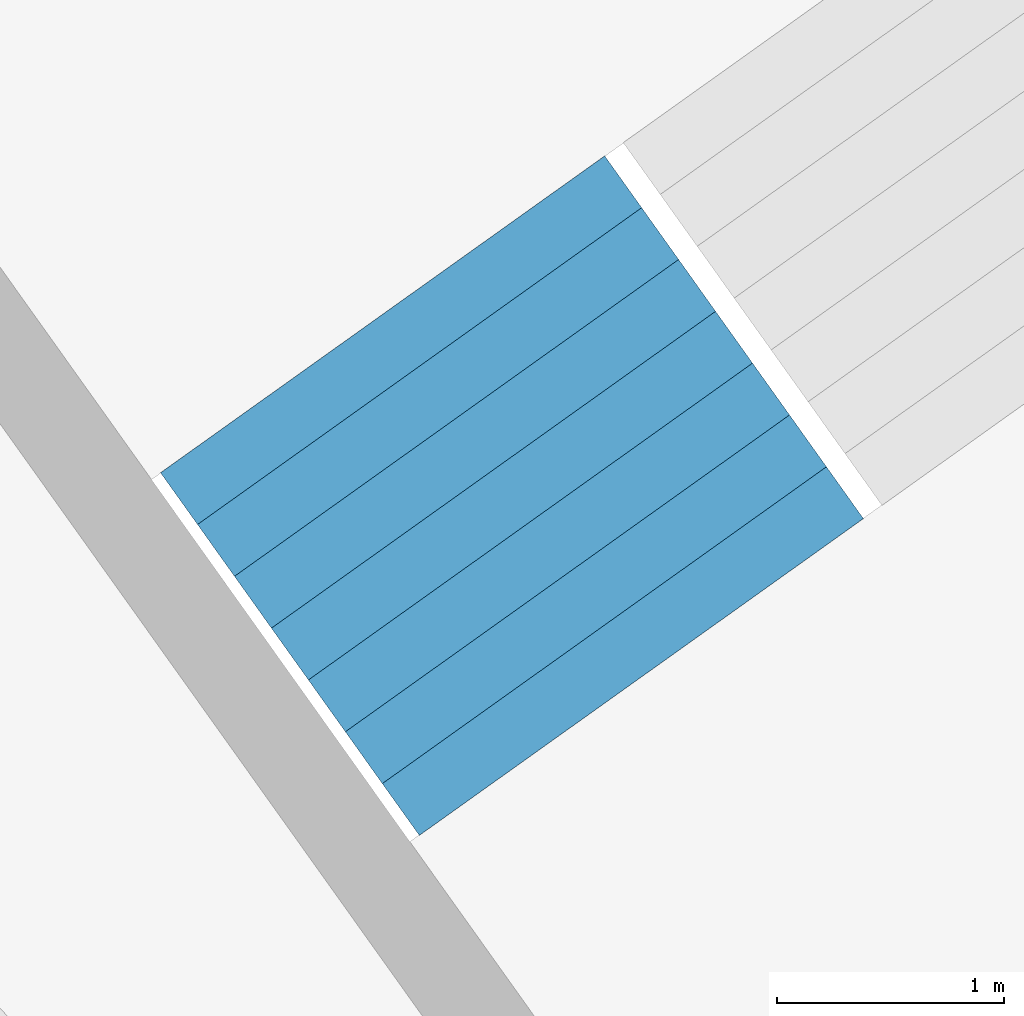
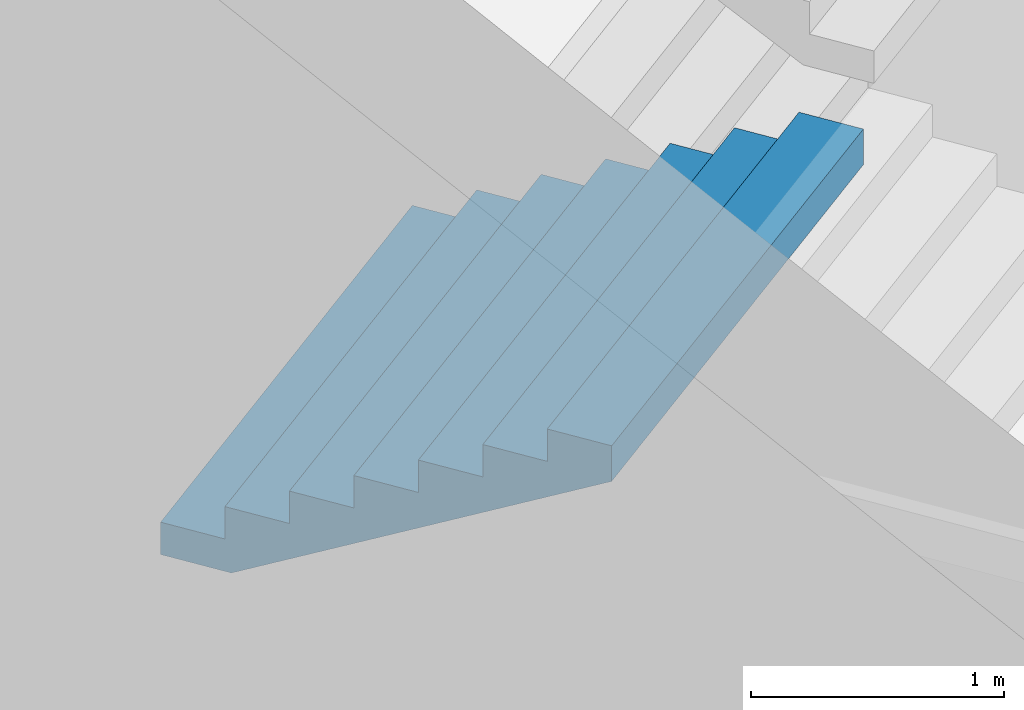
# One storey, part 41 of 73: 1 stair flight, 1 element without a shape of its own.
"""IFC4 building model written with IfcOpenShell, lengths in metres."""

from ifc_helpers import new_model, si_unit, direction, frame, origin, place, context, subcontext, project, spatial, triangles, material, type_object, element, aggregate, save


model = new_model("IFC4")

# Units and contexts
model_context = context("Model", 3, precision=1e-05, world=origin(), true_north=direction((0.0, 1.0)))
body_context = subcontext(model_context, "Body", "Model", "MODEL_VIEW")
ifc_project = project(units=[si_unit("LENGTHUNIT", "METRE"), si_unit("AREAUNIT", "SQUARE_METRE"), si_unit("VOLUMEUNIT", "CUBIC_METRE"), si_unit("PLANEANGLEUNIT", "RADIAN"), si_unit("MASSUNIT", "GRAM", prefix="KILO")], contexts=[model_context])

# Site, building, storey
site_placement = place(None, origin())
site = spatial("IfcSite", under=ifc_project, at=site_placement, CompositionType="ELEMENT")
building_placement = place(site_placement, origin())
building = spatial("IfcBuilding", under=site, at=building_placement, Name="Lantaw Convention Tower", CompositionType="ELEMENT")
storey_placement = place(building_placement, frame((0.0, 0.0, 22.0)))
storey = spatial("IfcBuildingStorey", under=building, at=storey_placement, Name="L03", CompositionType="ELEMENT", Elevation=22.0)

# Stair, stair flight
ifc_material = material(Name="Concrete C35/45", Category="concrete")
stair_type = type_object("IfcStairType", Name="Exit stair 2400 riser 156.25 in 4 flights", PredefinedType="HALF_TURN_STAIR", material=ifc_material)
stair_placement = place(storey_placement, origin())
stair = element("IfcStair", 1, at=stair_placement, inside=storey, type_object=stair_type, Name="Podium exit stair P6 L03", PredefinedType="HALF_TURN_STAIR")
stair_flight_type = type_object("IfcStairFlightType", Name="Stair flight 2400 riser 156.25", PredefinedType="STRAIGHT", material=ifc_material)
stair_flight_placement = place(storey_placement, frame((-20.143798828125, 26.087890625, 1.25), z_axis=(0.0, 0.0, 1.0), x_axis=(0.580702955711, -0.814115518356, 0.0)))
stair_flight = element("IfcStairFlight", 2, at=stair_flight_placement, type_object=stair_flight_type, Name="P6 flight 2", NumberOfRisers=8, NumberOfTreads=7, PredefinedType="STRAIGHT", RiserHeight=0.15625, TreadLength=0.28, context=body_context, shape_type="Tessellation", body=[
    triangles([(0.0, 1.199951171875, 0.0), (0.0, 1.199951171875, 0.15625), (0.28, 1.199951171875, 0.0), (0.28, 1.199951171875, 0.15625), (0.28, 1.199951171875, 0.3125), (0.3076200632058044, 1.199951171875, 0.0), (0.3076200632058044, 1.199951171875, 0.3125), (0.56, 1.199951171875, 0.14083701830033238), (0.56, 1.199951171875, 0.3125), (0.56, 1.199951171875, 0.46875), (0.8400000000000001, 1.199951171875, 0.29708701830033235), (0.8400000000000001, 1.199951171875, 0.46875), (0.8400000000000001, 1.199951171875, 0.625), (1.12, 1.199951171875, 0.45333701830033235), (1.12, 1.199951171875, 0.625), (1.12, 1.199951171875, 0.78125), (1.4000000000000001, 1.199951171875, 0.6095870183003324), (1.4000000000000001, 1.199951171875, 0.78125), (1.4000000000000001, 1.199951171875, 0.9375), (1.6800000000000002, 1.199951171875, 0.7658370183003324), (1.6800000000000002, 1.199951171875, 0.9375), (1.6800000000000002, 1.199951171875, 1.09375), (1.9600000000000002, 1.199951171875, 0.9220870183003324), (1.9600000000000002, 1.199951171875, 1.09375), (0.0, -1.199951171875, 0.0), (0.0, -1.199951171875, 0.15625), (0.28, -1.199951171875, 0.0), (0.28, -1.199951171875, 0.15625), (0.28, -1.199951171875, 0.3125), (0.3076200632058044, -1.199951171875, 0.0), (0.3076200632058044, -1.199951171875, 0.3125), (0.56, -1.199951171875, 0.14083701830033238), (0.56, -1.199951171875, 0.3125), (0.56, -1.199951171875, 0.46875), (0.8400000000000001, -1.199951171875, 0.29708701830033235), (0.8400000000000001, -1.199951171875, 0.46875), (0.8400000000000001, -1.199951171875, 0.625), (1.12, -1.199951171875, 0.45333701830033235), (1.12, -1.199951171875, 0.625), (1.12, -1.199951171875, 0.78125), (1.4000000000000001, -1.199951171875, 0.6095870183003324), (1.4000000000000001, -1.199951171875, 0.78125), (1.4000000000000001, -1.199951171875, 0.9375), (1.6800000000000002, -1.199951171875, 0.7658370183003324), (1.6800000000000002, -1.199951171875, 0.9375), (1.6800000000000002, -1.199951171875, 1.09375), (1.9600000000000002, -1.199951171875, 0.9220870183003324), (1.9600000000000002, -1.199951171875, 1.09375), (0.0, 0.239990234375, 0.15625), (0.0, 0.239990234375, 0.0), (0.0, 0.1919921875, 0.15625), (0.0, 0.1919921875, 0.0), (0.0, 0.143994140625, 0.15625), (0.0, 0.143994140625, 0.0), (0.0, 0.09599609375, 0.15625), (0.0, 0.09599609375, 0.0), (0.0, 0.047998046875, 0.15625), (0.0, 0.047998046875, 0.0), (0.0, 0.0, 0.15625), (0.0, 0.0, 0.0), (0.0, -0.047998046875, 0.15625), (0.0, -0.047998046875, 0.0), (0.0, -0.09599609375, 0.15625), (0.0, -0.09599609375, 0.0), (0.0, -0.143994140625, 0.15625), (0.0, -0.143994140625, 0.0), (0.0, -0.1919921875, 0.15625), (0.0, -0.1919921875, 0.0), (0.0, -0.239990234375, 0.15625), (0.0, -0.239990234375, 0.0), (0.28, 0.239990234375, 0.3125), (0.28, 0.239990234375, 0.15625), (0.28, 0.1919921875, 0.3125), (0.28, 0.1919921875, 0.15625), (0.28, 0.143994140625, 0.3125), (0.28, 0.143994140625, 0.15625), (0.28, 0.09599609375, 0.3125), (0.28, 0.09599609375, 0.15625), (0.28, 0.047998046875, 0.3125), (0.28, 0.047998046875, 0.15625), (0.28, 0.0, 0.3125), (0.28, 0.0, 0.15625), (0.28, -0.047998046875, 0.3125), (0.28, -0.047998046875, 0.15625), (0.28, -0.09599609375, 0.3125), (0.28, -0.09599609375, 0.15625), (0.28, -0.143994140625, 0.3125), (0.28, -0.143994140625, 0.15625), (0.28, -0.1919921875, 0.3125), (0.28, -0.1919921875, 0.15625), (0.28, -0.239990234375, 0.3125), (0.28, -0.239990234375, 0.15625), (0.56, 0.239990234375, 0.46875), (0.56, 0.239990234375, 0.3125), (0.56, 0.1919921875, 0.46875), (0.56, 0.1919921875, 0.3125), (0.56, 0.143994140625, 0.46875), (0.56, 0.143994140625, 0.3125), (0.56, 0.09599609375, 0.46875), (0.56, 0.09599609375, 0.3125), (0.56, 0.047998046875, 0.46875), (0.56, 0.047998046875, 0.3125), (0.56, 0.0, 0.46875), (0.56, 0.0, 0.3125), (0.56, -0.047998046875, 0.46875), (0.56, -0.047998046875, 0.3125), (0.56, -0.09599609375, 0.46875), (0.56, -0.09599609375, 0.3125), (0.56, -0.143994140625, 0.46875), (0.56, -0.143994140625, 0.3125), (0.56, -0.1919921875, 0.46875), (0.56, -0.1919921875, 0.3125), (0.56, -0.239990234375, 0.46875), (0.56, -0.239990234375, 0.3125), (0.8400000000000001, 0.239990234375, 0.625), (0.8400000000000001, 0.239990234375, 0.46875), (0.8400000000000001, 0.1919921875, 0.625), (0.8400000000000001, 0.1919921875, 0.46875), (0.8400000000000001, 0.143994140625, 0.625), (0.8400000000000001, 0.143994140625, 0.46875), (0.8400000000000001, 0.09599609375, 0.625), (0.8400000000000001, 0.09599609375, 0.46875), (0.8400000000000001, 0.047998046875, 0.625), (0.8400000000000001, 0.047998046875, 0.46875), (0.8400000000000001, 0.0, 0.625), (0.8400000000000001, 0.0, 0.46875), (0.8400000000000001, -0.047998046875, 0.625), (0.8400000000000001, -0.047998046875, 0.46875), (0.8400000000000001, -0.09599609375, 0.625), (0.8400000000000001, -0.09599609375, 0.46875), (0.8400000000000001, -0.143994140625, 0.625), (0.8400000000000001, -0.143994140625, 0.46875), (0.8400000000000001, -0.1919921875, 0.625), (0.8400000000000001, -0.1919921875, 0.46875), (0.8400000000000001, -0.239990234375, 0.625), (0.8400000000000001, -0.239990234375, 0.46875), (1.12, 0.239990234375, 0.78125), (1.12, 0.239990234375, 0.625), (1.12, 0.1919921875, 0.78125), (1.12, 0.1919921875, 0.625), (1.12, 0.143994140625, 0.78125), (1.12, 0.143994140625, 0.625), (1.12, 0.09599609375, 0.78125), (1.12, 0.09599609375, 0.625), (1.12, 0.047998046875, 0.78125), (1.12, 0.047998046875, 0.625), (1.12, 0.0, 0.78125), (1.12, 0.0, 0.625), (1.12, -0.047998046875, 0.78125), (1.12, -0.047998046875, 0.625), (1.12, -0.09599609375, 0.78125), (1.12, -0.09599609375, 0.625), (1.12, -0.143994140625, 0.78125), (1.12, -0.143994140625, 0.625), (1.12, -0.1919921875, 0.78125), (1.12, -0.1919921875, 0.625), (1.12, -0.239990234375, 0.78125), (1.12, -0.239990234375, 0.625), (1.4000000000000001, 0.239990234375, 0.9375), (1.4000000000000001, 0.239990234375, 0.78125), (1.4000000000000001, 0.1919921875, 0.9375), (1.4000000000000001, 0.1919921875, 0.78125), (1.4000000000000001, 0.143994140625, 0.9375), (1.4000000000000001, 0.143994140625, 0.78125), (1.4000000000000001, 0.09599609375, 0.9375), (1.4000000000000001, 0.09599609375, 0.78125), (1.4000000000000001, 0.047998046875, 0.9375), (1.4000000000000001, 0.047998046875, 0.78125), (1.4000000000000001, 0.0, 0.9375), (1.4000000000000001, 0.0, 0.78125), (1.4000000000000001, -0.047998046875, 0.9375), (1.4000000000000001, -0.047998046875, 0.78125), (1.4000000000000001, -0.09599609375, 0.9375), (1.4000000000000001, -0.09599609375, 0.78125), (1.4000000000000001, -0.143994140625, 0.9375), (1.4000000000000001, -0.143994140625, 0.78125), (1.4000000000000001, -0.1919921875, 0.9375), (1.4000000000000001, -0.1919921875, 0.78125), (1.4000000000000001, -0.239990234375, 0.9375), (1.4000000000000001, -0.239990234375, 0.78125), (1.6800000000000002, 0.239990234375, 1.09375), (1.6800000000000002, 0.239990234375, 0.9375), (1.6800000000000002, 0.1919921875, 1.09375), (1.6800000000000002, 0.1919921875, 0.9375), (1.6800000000000002, 0.143994140625, 1.09375), (1.6800000000000002, 0.143994140625, 0.9375), (1.6800000000000002, 0.09599609375, 1.09375), (1.6800000000000002, 0.09599609375, 0.9375), (1.6800000000000002, 0.047998046875, 1.09375), (1.6800000000000002, 0.047998046875, 0.9375), (1.6800000000000002, 0.0, 1.09375), (1.6800000000000002, 0.0, 0.9375), (1.6800000000000002, -0.047998046875, 1.09375), (1.6800000000000002, -0.047998046875, 0.9375), (1.6800000000000002, -0.09599609375, 1.09375), (1.6800000000000002, -0.09599609375, 0.9375), (1.6800000000000002, -0.143994140625, 1.09375), (1.6800000000000002, -0.143994140625, 0.9375), (1.6800000000000002, -0.1919921875, 1.09375), (1.6800000000000002, -0.1919921875, 0.9375), (1.6800000000000002, -0.239990234375, 1.09375), (1.6800000000000002, -0.239990234375, 0.9375), (0.3076200632058044, 0.239990234375, 0.3125), (0.3076200632058044, 0.1919921875, 0.3125), (0.3076200632058044, 0.143994140625, 0.3125), (0.3076200632058044, 0.09599609375, 0.3125), (0.3076200632058044, 0.047998046875, 0.3125), (0.3076200632058044, 0.0, 0.3125), (0.3076200632058044, -0.047998046875, 0.3125), (0.3076200632058044, -0.09599609375, 0.3125), (0.3076200632058044, -0.143994140625, 0.3125), (0.3076200632058044, -0.1919921875, 0.3125), (0.3076200632058044, -0.239990234375, 0.3125), (1.9600000000000002, 0.239990234375, 1.09375), (1.9600000000000002, 0.1919921875, 1.09375), (1.9600000000000002, 0.143994140625, 1.09375), (1.9600000000000002, 0.09599609375, 1.09375), (1.9600000000000002, 0.047998046875, 1.09375), (1.9600000000000002, 0.0, 1.09375), (1.9600000000000002, -0.047998046875, 1.09375), (1.9600000000000002, -0.09599609375, 1.09375), (1.9600000000000002, -0.143994140625, 1.09375), (1.9600000000000002, -0.1919921875, 1.09375), (1.9600000000000002, -0.239990234375, 1.09375), (1.9600000000000002, 0.239990234375, 0.9220870183003324), (1.9600000000000002, 0.1919921875, 0.9220870183003324), (1.9600000000000002, 0.143994140625, 0.9220870183003324), (1.9600000000000002, 0.09599609375, 0.9220870183003324), (1.9600000000000002, 0.047998046875, 0.9220870183003324), (1.9600000000000002, 0.0, 0.9220870183003324), (1.9600000000000002, -0.047998046875, 0.9220870183003324), (1.9600000000000002, -0.09599609375, 0.9220870183003324), (1.9600000000000002, -0.143994140625, 0.9220870183003324), (1.9600000000000002, -0.1919921875, 0.9220870183003324), (1.9600000000000002, -0.239990234375, 0.9220870183003324), (1.6800000000000002, 0.239990234375, 0.7658370183003324), (1.6800000000000002, 0.1919921875, 0.7658370183003324), (1.6800000000000002, 0.143994140625, 0.7658370183003324), (1.6800000000000002, 0.09599609375, 0.7658370183003324), (1.6800000000000002, 0.047998046875, 0.7658370183003324), (1.6800000000000002, 0.0, 0.7658370183003324), (1.6800000000000002, -0.047998046875, 0.7658370183003324), (1.6800000000000002, -0.09599609375, 0.7658370183003324), (1.6800000000000002, -0.143994140625, 0.7658370183003324), (1.6800000000000002, -0.1919921875, 0.7658370183003324), (1.6800000000000002, -0.239990234375, 0.7658370183003324), (1.4000000000000001, 0.239990234375, 0.6095870183003324), (1.4000000000000001, 0.1919921875, 0.6095870183003324), (1.4000000000000001, 0.143994140625, 0.6095870183003324), (1.4000000000000001, 0.09599609375, 0.6095870183003324), (1.4000000000000001, 0.047998046875, 0.6095870183003324), (1.4000000000000001, 0.0, 0.6095870183003324), (1.4000000000000001, -0.047998046875, 0.6095870183003324), (1.4000000000000001, -0.09599609375, 0.6095870183003324), (1.4000000000000001, -0.143994140625, 0.6095870183003324), (1.4000000000000001, -0.1919921875, 0.6095870183003324), (1.4000000000000001, -0.239990234375, 0.6095870183003324), (1.12, 0.239990234375, 0.45333701830033235), (1.12, 0.1919921875, 0.45333701830033235), (1.12, 0.143994140625, 0.45333701830033235), (1.12, 0.09599609375, 0.45333701830033235), (1.12, 0.047998046875, 0.45333701830033235), (1.12, 0.0, 0.45333701830033235), (1.12, -0.047998046875, 0.45333701830033235), (1.12, -0.09599609375, 0.45333701830033235), (1.12, -0.143994140625, 0.45333701830033235), (1.12, -0.1919921875, 0.45333701830033235), (1.12, -0.239990234375, 0.45333701830033235), (0.8400000000000001, 0.239990234375, 0.29708701830033235), (0.8400000000000001, 0.1919921875, 0.29708701830033235), (0.8400000000000001, 0.143994140625, 0.29708701830033235), (0.8400000000000001, 0.09599609375, 0.29708701830033235), (0.8400000000000001, 0.047998046875, 0.29708701830033235), (0.8400000000000001, 0.0, 0.29708701830033235), (0.8400000000000001, -0.047998046875, 0.29708701830033235), (0.8400000000000001, -0.09599609375, 0.29708701830033235), (0.8400000000000001, -0.143994140625, 0.29708701830033235), (0.8400000000000001, -0.1919921875, 0.29708701830033235), (0.8400000000000001, -0.239990234375, 0.29708701830033235), (0.56, 0.239990234375, 0.14083701830033238), (0.56, 0.1919921875, 0.14083701830033238), (0.56, 0.143994140625, 0.14083701830033238), (0.56, 0.09599609375, 0.14083701830033238), (0.56, 0.047998046875, 0.14083701830033238), (0.56, 0.0, 0.14083701830033238), (0.56, -0.047998046875, 0.14083701830033238), (0.56, -0.09599609375, 0.14083701830033238), (0.56, -0.143994140625, 0.14083701830033238), (0.56, -0.1919921875, 0.14083701830033238), (0.56, -0.239990234375, 0.14083701830033238), (0.3076200632058044, 0.239990234375, 0.0), (0.3076200632058044, 0.1919921875, 0.0), (0.3076200632058044, 0.143994140625, 0.0), (0.3076200632058044, 0.09599609375, 0.0), (0.3076200632058044, 0.047998046875, 0.0), (0.3076200632058044, 0.0, 0.0), (0.3076200632058044, -0.047998046875, 0.0), (0.3076200632058044, -0.09599609375, 0.0), (0.3076200632058044, -0.143994140625, 0.0), (0.3076200632058044, -0.1919921875, 0.0), (0.3076200632058044, -0.239990234375, 0.0), (0.28, 0.239990234375, 0.0), (0.28, 0.1919921875, 0.0), (0.28, 0.143994140625, 0.0), (0.28, 0.09599609375, 0.0), (0.28, 0.047998046875, 0.0), (0.28, 0.0, 0.0), (0.28, -0.047998046875, 0.0), (0.28, -0.09599609375, 0.0), (0.28, -0.143994140625, 0.0), (0.28, -0.1919921875, 0.0), (0.28, -0.239990234375, 0.0)], [[1, 4, 3], [1, 2, 4], [3, 4, 6], [4, 7, 6], [4, 5, 7], [6, 9, 8], [6, 7, 9], [8, 9, 11], [9, 12, 11], [9, 10, 12], [11, 12, 14], [12, 15, 14], [12, 13, 15], [14, 15, 17], [15, 18, 17], [15, 16, 18], [17, 18, 20], [18, 21, 20], [18, 19, 21], [20, 21, 23], [21, 24, 23], [21, 22, 24], [25, 27, 28], [25, 28, 26], [27, 30, 28], [28, 30, 31], [28, 31, 29], [30, 32, 33], [30, 33, 31], [32, 35, 33], [33, 35, 36], [33, 36, 34], [35, 38, 36], [36, 38, 39], [36, 39, 37], [38, 41, 39], [39, 41, 42], [39, 42, 40], [41, 44, 42], [42, 44, 45], [42, 45, 43], [44, 47, 45], [45, 47, 48], [45, 48, 46], [1, 49, 2], [1, 50, 49], [50, 51, 49], [50, 52, 51], [52, 53, 51], [52, 54, 53], [54, 55, 53], [54, 56, 55], [56, 57, 55], [56, 58, 57], [58, 59, 57], [58, 60, 59], [60, 61, 59], [60, 62, 61], [62, 63, 61], [62, 64, 63], [64, 65, 63], [64, 66, 65], [66, 67, 65], [66, 68, 67], [68, 69, 67], [68, 70, 69], [70, 26, 69], [70, 25, 26], [4, 71, 5], [4, 72, 71], [72, 73, 71], [72, 74, 73], [74, 75, 73], [74, 76, 75], [76, 77, 75], [76, 78, 77], [78, 79, 77], [78, 80, 79], [80, 81, 79], [80, 82, 81], [82, 83, 81], [82, 84, 83], [84, 85, 83], [84, 86, 85], [86, 87, 85], [86, 88, 87], [88, 89, 87], [88, 90, 89], [90, 91, 89], [90, 92, 91], [92, 29, 91], [92, 28, 29], [9, 93, 10], [9, 94, 93], [94, 95, 93], [94, 96, 95], [96, 97, 95], [96, 98, 97], [98, 99, 97], [98, 100, 99], [100, 101, 99], [100, 102, 101], [102, 103, 101], [102, 104, 103], [104, 105, 103], [104, 106, 105], [106, 107, 105], [106, 108, 107], [108, 109, 107], [108, 110, 109], [110, 111, 109], [110, 112, 111], [112, 113, 111], [112, 114, 113], [114, 34, 113], [114, 33, 34], [12, 115, 13], [12, 116, 115], [116, 117, 115], [116, 118, 117], [118, 119, 117], [118, 120, 119], [120, 121, 119], [120, 122, 121], [122, 123, 121], [122, 124, 123], [124, 125, 123], [124, 126, 125], [126, 127, 125], [126, 128, 127], [128, 129, 127], [128, 130, 129], [130, 131, 129], [130, 132, 131], [132, 133, 131], [132, 134, 133], [134, 135, 133], [134, 136, 135], [136, 37, 135], [136, 36, 37], [15, 137, 16], [15, 138, 137], [138, 139, 137], [138, 140, 139], [140, 141, 139], [140, 142, 141], [142, 143, 141], [142, 144, 143], [144, 145, 143], [144, 146, 145], [146, 147, 145], [146, 148, 147], [148, 149, 147], [148, 150, 149], [150, 151, 149], [150, 152, 151], [152, 153, 151], [152, 154, 153], [154, 155, 153], [154, 156, 155], [156, 157, 155], [156, 158, 157], [158, 40, 157], [158, 39, 40], [18, 159, 19], [18, 160, 159], [160, 161, 159], [160, 162, 161], [162, 163, 161], [162, 164, 163], [164, 165, 163], [164, 166, 165], [166, 167, 165], [166, 168, 167], [168, 169, 167], [168, 170, 169], [170, 171, 169], [170, 172, 171], [172, 173, 171], [172, 174, 173], [174, 175, 173], [174, 176, 175], [176, 177, 175], [176, 178, 177], [178, 179, 177], [178, 180, 179], [180, 43, 179], [180, 42, 43], [21, 181, 22], [21, 182, 181], [182, 183, 181], [182, 184, 183], [184, 185, 183], [184, 186, 185], [186, 187, 185], [186, 188, 187], [188, 189, 187], [188, 190, 189], [190, 191, 189], [190, 192, 191], [192, 193, 191], [192, 194, 193], [194, 195, 193], [194, 196, 195], [196, 197, 195], [196, 198, 197], [198, 199, 197], [198, 200, 199], [200, 201, 199], [200, 202, 201], [202, 46, 201], [202, 45, 46], [2, 72, 4], [2, 49, 72], [49, 74, 72], [49, 51, 74], [51, 76, 74], [51, 53, 76], [53, 78, 76], [53, 55, 78], [55, 80, 78], [55, 57, 80], [57, 82, 80], [57, 59, 82], [59, 84, 82], [59, 61, 84], [61, 86, 84], [61, 63, 86], [63, 88, 86], [63, 65, 88], [65, 90, 88], [65, 67, 90], [67, 92, 90], [67, 69, 92], [69, 28, 92], [69, 26, 28], [5, 203, 7], [5, 71, 203], [71, 204, 203], [71, 73, 204], [73, 205, 204], [73, 75, 205], [75, 206, 205], [75, 77, 206], [77, 207, 206], [77, 79, 207], [79, 208, 207], [79, 81, 208], [81, 209, 208], [81, 83, 209], [83, 210, 209], [83, 85, 210], [85, 211, 210], [85, 87, 211], [87, 212, 211], [87, 89, 212], [89, 213, 212], [89, 91, 213], [91, 31, 213], [91, 29, 31], [7, 94, 9], [7, 203, 94], [203, 96, 94], [203, 204, 96], [204, 98, 96], [204, 205, 98], [205, 100, 98], [205, 206, 100], [206, 102, 100], [206, 207, 102], [207, 104, 102], [207, 208, 104], [208, 106, 104], [208, 209, 106], [209, 108, 106], [209, 210, 108], [210, 110, 108], [210, 211, 110], [211, 112, 110], [211, 212, 112], [212, 114, 112], [212, 213, 114], [213, 33, 114], [213, 31, 33], [10, 116, 12], [10, 93, 116], [93, 118, 116], [93, 95, 118], [95, 120, 118], [95, 97, 120], [97, 122, 120], [97, 99, 122], [99, 124, 122], [99, 101, 124], [101, 126, 124], [101, 103, 126], [103, 128, 126], [103, 105, 128], [105, 130, 128], [105, 107, 130], [107, 132, 130], [107, 109, 132], [109, 134, 132], [109, 111, 134], [111, 136, 134], [111, 113, 136], [113, 36, 136], [113, 34, 36], [13, 138, 15], [13, 115, 138], [115, 140, 138], [115, 117, 140], [117, 142, 140], [117, 119, 142], [119, 144, 142], [119, 121, 144], [121, 146, 144], [121, 123, 146], [123, 148, 146], [123, 125, 148], [125, 150, 148], [125, 127, 150], [127, 152, 150], [127, 129, 152], [129, 154, 152], [129, 131, 154], [131, 156, 154], [131, 133, 156], [133, 158, 156], [133, 135, 158], [135, 39, 158], [135, 37, 39], [16, 160, 18], [16, 137, 160], [137, 162, 160], [137, 139, 162], [139, 164, 162], [139, 141, 164], [141, 166, 164], [141, 143, 166], [143, 168, 166], [143, 145, 168], [145, 170, 168], [145, 147, 170], [147, 172, 170], [147, 149, 172], [149, 174, 172], [149, 151, 174], [151, 176, 174], [151, 153, 176], [153, 178, 176], [153, 155, 178], [155, 180, 178], [155, 157, 180], [157, 42, 180], [157, 40, 42], [19, 182, 21], [19, 159, 182], [159, 184, 182], [159, 161, 184], [161, 186, 184], [161, 163, 186], [163, 188, 186], [163, 165, 188], [165, 190, 188], [165, 167, 190], [167, 192, 190], [167, 169, 192], [169, 194, 192], [169, 171, 194], [171, 196, 194], [171, 173, 196], [173, 198, 196], [173, 175, 198], [175, 200, 198], [175, 177, 200], [177, 202, 200], [177, 179, 202], [179, 45, 202], [179, 43, 45], [22, 214, 24], [22, 181, 214], [181, 215, 214], [181, 183, 215], [183, 216, 215], [183, 185, 216], [185, 217, 216], [185, 187, 217], [187, 218, 217], [187, 189, 218], [189, 219, 218], [189, 191, 219], [191, 220, 219], [191, 193, 220], [193, 221, 220], [193, 195, 221], [195, 222, 221], [195, 197, 222], [197, 223, 222], [197, 199, 223], [199, 224, 223], [199, 201, 224], [201, 48, 224], [201, 46, 48], [24, 225, 23], [24, 214, 225], [214, 226, 225], [214, 215, 226], [215, 227, 226], [215, 216, 227], [216, 228, 227], [216, 217, 228], [217, 229, 228], [217, 218, 229], [218, 230, 229], [218, 219, 230], [219, 231, 230], [219, 220, 231], [220, 232, 231], [220, 221, 232], [221, 233, 232], [221, 222, 233], [222, 234, 233], [222, 223, 234], [223, 235, 234], [223, 224, 235], [224, 47, 235], [224, 48, 47], [23, 236, 20], [23, 225, 236], [225, 237, 236], [225, 226, 237], [226, 238, 237], [226, 227, 238], [227, 239, 238], [227, 228, 239], [228, 240, 239], [228, 229, 240], [229, 241, 240], [229, 230, 241], [230, 242, 241], [230, 231, 242], [231, 243, 242], [231, 232, 243], [232, 244, 243], [232, 233, 244], [233, 245, 244], [233, 234, 245], [234, 246, 245], [234, 235, 246], [235, 44, 246], [235, 47, 44], [20, 247, 17], [20, 236, 247], [236, 248, 247], [236, 237, 248], [237, 249, 248], [237, 238, 249], [238, 250, 249], [238, 239, 250], [239, 251, 250], [239, 240, 251], [240, 252, 251], [240, 241, 252], [241, 253, 252], [241, 242, 253], [242, 254, 253], [242, 243, 254], [243, 255, 254], [243, 244, 255], [244, 256, 255], [244, 245, 256], [245, 257, 256], [245, 246, 257], [246, 41, 257], [246, 44, 41], [17, 258, 14], [17, 247, 258], [247, 259, 258], [247, 248, 259], [248, 260, 259], [248, 249, 260], [249, 261, 260], [249, 250, 261], [250, 262, 261], [250, 251, 262], [251, 263, 262], [251, 252, 263], [252, 264, 263], [252, 253, 264], [253, 265, 264], [253, 254, 265], [254, 266, 265], [254, 255, 266], [255, 267, 266], [255, 256, 267], [256, 268, 267], [256, 257, 268], [257, 38, 268], [257, 41, 38], [14, 269, 11], [14, 258, 269], [258, 270, 269], [258, 259, 270], [259, 271, 270], [259, 260, 271], [260, 272, 271], [260, 261, 272], [261, 273, 272], [261, 262, 273], [262, 274, 273], [262, 263, 274], [263, 275, 274], [263, 264, 275], [264, 276, 275], [264, 265, 276], [265, 277, 276], [265, 266, 277], [266, 278, 277], [266, 267, 278], [267, 279, 278], [267, 268, 279], [268, 35, 279], [268, 38, 35], [11, 280, 8], [11, 269, 280], [269, 281, 280], [269, 270, 281], [270, 282, 281], [270, 271, 282], [271, 283, 282], [271, 272, 283], [272, 284, 283], [272, 273, 284], [273, 285, 284], [273, 274, 285], [274, 286, 285], [274, 275, 286], [275, 287, 286], [275, 276, 287], [276, 288, 287], [276, 277, 288], [277, 289, 288], [277, 278, 289], [278, 290, 289], [278, 279, 290], [279, 32, 290], [279, 35, 32], [8, 291, 6], [8, 280, 291], [280, 292, 291], [280, 281, 292], [281, 293, 292], [281, 282, 293], [282, 294, 293], [282, 283, 294], [283, 295, 294], [283, 284, 295], [284, 296, 295], [284, 285, 296], [285, 297, 296], [285, 286, 297], [286, 298, 297], [286, 287, 298], [287, 299, 298], [287, 288, 299], [288, 300, 299], [288, 289, 300], [289, 301, 300], [289, 290, 301], [290, 30, 301], [290, 32, 30], [6, 302, 3], [6, 291, 302], [291, 303, 302], [291, 292, 303], [292, 304, 303], [292, 293, 304], [293, 305, 304], [293, 294, 305], [294, 306, 305], [294, 295, 306], [295, 307, 306], [295, 296, 307], [296, 308, 307], [296, 297, 308], [297, 309, 308], [297, 298, 309], [298, 310, 309], [298, 299, 310], [299, 311, 310], [299, 300, 311], [300, 312, 311], [300, 301, 312], [301, 27, 312], [301, 30, 27], [3, 50, 1], [3, 302, 50], [302, 52, 50], [302, 303, 52], [303, 54, 52], [303, 304, 54], [304, 56, 54], [304, 305, 56], [305, 58, 56], [305, 306, 58], [306, 60, 58], [306, 307, 60], [307, 62, 60], [307, 308, 62], [308, 64, 62], [308, 309, 64], [309, 66, 64], [309, 310, 66], [310, 68, 66], [310, 311, 68], [311, 70, 68], [311, 312, 70], [312, 25, 70], [312, 27, 25]], closed=True),
])
aggregate(stair, [stair_flight])

save(model, "model.ifc")
